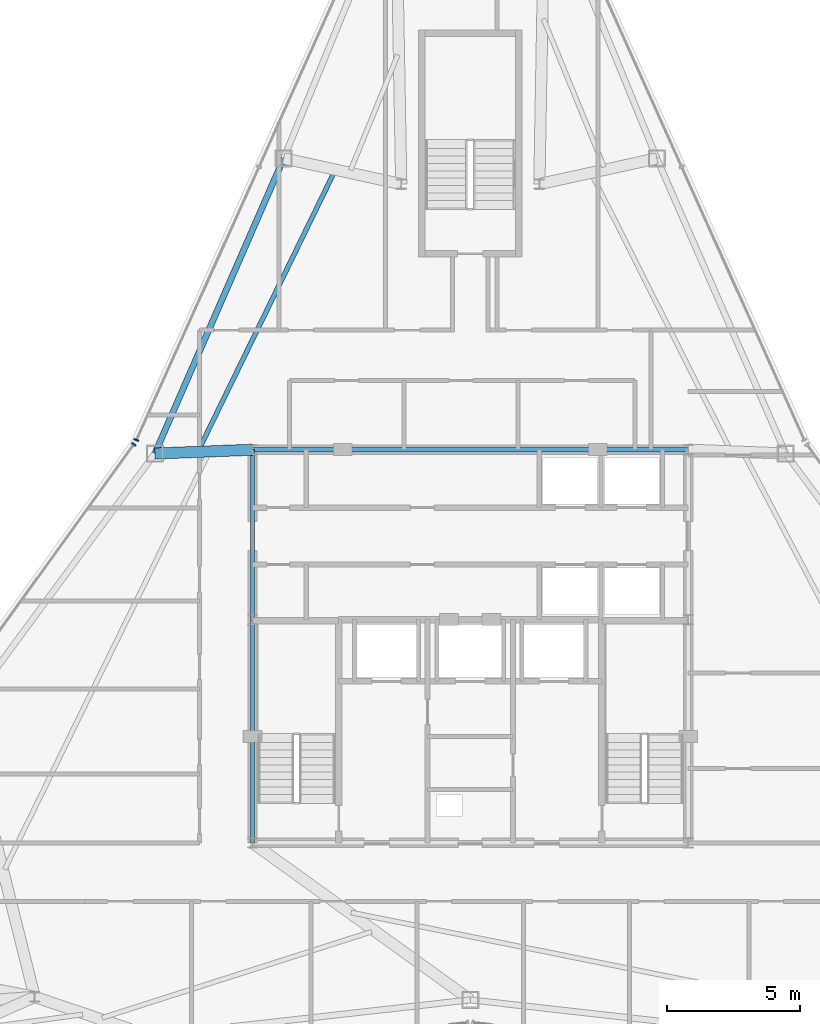
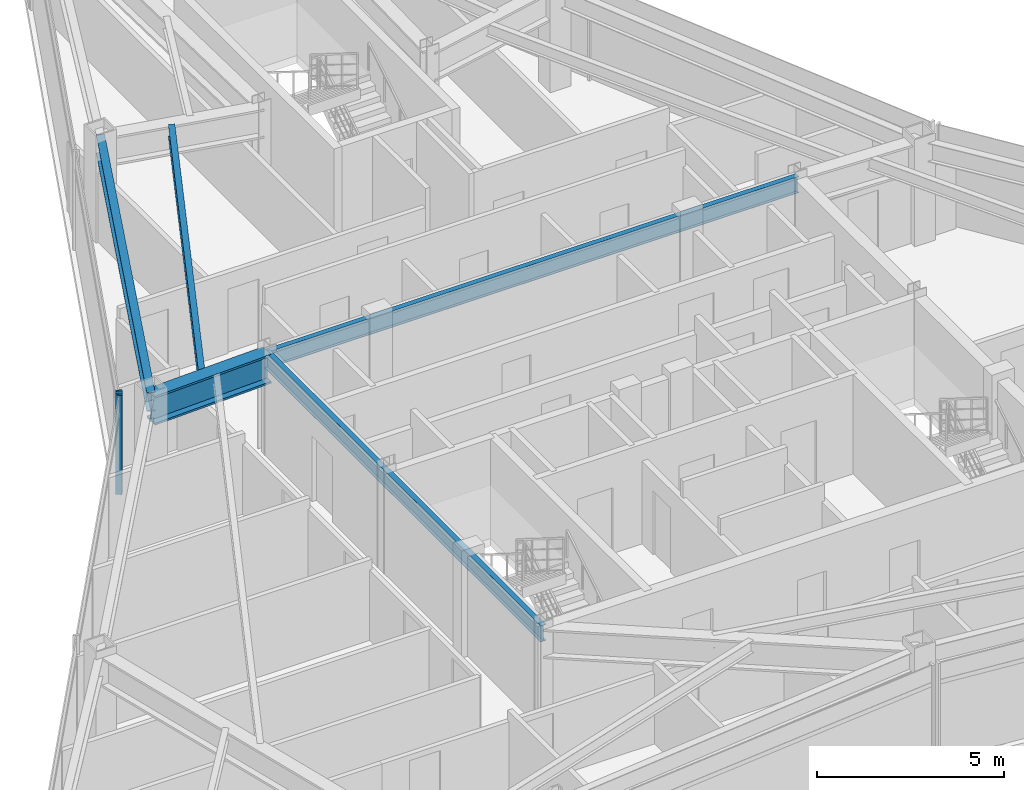
# One storey, part 5 of 12: 5 beams, 2 members, 2 elements without a shape of their own.
"""IFC4 building model written with IfcOpenShell, lengths in metres."""

from ifc_helpers import new_model, si_unit, direction, frame, origin, origin_2d, place, context, subcontext, project, spatial, rectangle, i_section, extrude, source, transform, mapped, material, layer, layer_set, material_profile, profile_set, type_object, type_shapes, element, aggregate, save


model = new_model("IFC4")

# Units and contexts
model_context = context("Model", 3, precision=1e-05, world=origin(), true_north=direction((0.0, 1.0)))
body_context = subcontext(model_context, "Body", "Model", "MODEL_VIEW")
ifc_project = project(units=[si_unit("LENGTHUNIT", "METRE"), si_unit("AREAUNIT", "SQUARE_METRE"), si_unit("VOLUMEUNIT", "CUBIC_METRE"), si_unit("PLANEANGLEUNIT", "RADIAN"), si_unit("MASSUNIT", "GRAM", prefix="KILO")], contexts=[model_context])

# Site, building, storey
site_placement = place(None, origin())
site = spatial("IfcSite", under=ifc_project, at=site_placement, CompositionType="ELEMENT")
building_placement = place(site_placement, origin())
building = spatial("IfcBuilding", under=site, at=building_placement, Name="Varakhsha Concourse Tower", CompositionType="ELEMENT")
storey_placement = place(building_placement, frame((0.0, 0.0, 258.5)))
storey = spatial("IfcBuildingStorey", under=building, at=storey_placement, Name="L73", CompositionType="ELEMENT", Elevation=258.5)

# Beams
ifc_material_1 = material(Name="Structural Steel ASTM A992 Grade 50", Category="steel")
ifc_material_profile_1 = material_profile(ifc_material_1, i_section(OverallWidth=0.177978515625, OverallDepth=0.406982421875, WebThickness=0.008056640625, FlangeThickness=0.012939453125, at=origin_2d()), Name="W16X40")
ifc_profile_set_1 = profile_set([ifc_material_profile_1], Name="Structural Steel ASTM A992 Grade 50")
beam_type_1 = type_object("IfcBeamType", Name="BM-JST-W16X40", PredefinedType="JOIST", material=ifc_profile_set_1)
beam_1_placement = place(storey_placement, frame((34.875, 41.643798828125, 3.04638671875), z_axis=(-0.438334888597, -0.898811729696, 0.0), x_axis=(0.898811729696, -0.438334888597, 0.0)))
element("IfcBeam", 1, at=beam_1_placement, inside=storey, type_object=beam_type_1, Name="BM-TJST-L73-04", PredefinedType="JOIST", context=body_context, shape_type="SweptSolid", body=[
    extrude(i_section(OverallWidth=0.177978515625, OverallDepth=0.406982421875, WebThickness=0.008056640625, FlangeThickness=0.012939453125, at=origin_2d()), origin(), (0.0, 0.0, 1.0), 11.599609375),
])
ifc_material_profile_2 = material_profile(ifc_material_1, i_section(OverallWidth=0.423095703125, OverallDepth=0.947998046875, WebThickness=0.0380859375, FlangeThickness=0.06396484375, at=origin_2d()), Name="W36X302")
ifc_profile_set_2 = profile_set([ifc_material_profile_2], Name="Structural Steel ASTM A992 Grade 50")
beam_type_2 = type_object("IfcBeamType", Name="BM-OUTR-W36X302", PredefinedType="USERDEFINED", material=ifc_profile_set_2)
beam_2_placement = place(storey_placement, frame((31.800048828125, 31.199951171875, 2.77587890625), z_axis=(-0.999229859365, -0.039238860258, 0.0), x_axis=(0.039238860258, -0.999229859365, 0.0)))
element("IfcBeam", 2, at=beam_2_placement, inside=storey, type_object=beam_type_2, Name="L73 Radial Floor Girder 05", ObjectType="GIRDER", PredefinedType="USERDEFINED", context=body_context, shape_type="SweptSolid", body=[
    extrude(i_section(OverallWidth=0.423095703125, OverallDepth=0.947998046875, WebThickness=0.0380859375, FlangeThickness=0.06396484375, at=origin_2d()), origin(), (0.0, 0.0, 1.0), 3.67724609375),
])
ifc_material_profile_3 = material_profile(ifc_material_1, i_section(OverallWidth=0.1669921875, OverallDepth=0.534912109375, WebThickness=0.010009765625, FlangeThickness=0.01708984375, at=origin_2d()), Name="W21X57")
ifc_profile_set_3 = profile_set([ifc_material_profile_3], Name="Structural Steel ASTM A992 Grade 50")
beam_type_3 = type_object("IfcBeamType", Name="BM-RAD-W21X57", PredefinedType="BEAM", material=ifc_profile_set_3)
beam_3_placement = place(storey_placement, frame((31.800048828125, 31.199951171875, 2.982421875), z_axis=(1.0, 0.0, 0.0), x_axis=(0.0, 1.0, 0.0)))
element("IfcBeam", 3, at=beam_3_placement, inside=storey, type_object=beam_type_3, Name="BM-TCORE-L73-CN", PredefinedType="BEAM", context=body_context, shape_type="SweptSolid", body=[
    extrude(i_section(OverallWidth=0.1669921875, OverallDepth=0.534912109375, WebThickness=0.010009765625, FlangeThickness=0.01708984375, at=origin_2d()), origin(), (0.0, 0.0, 1.0), 16.39990234375),
])
beam_4_placement = place(storey_placement, frame((31.800048828125, 16.39990234375, 2.982421875), z_axis=(0.0, 1.0, 0.0), x_axis=(-1.0, 0.0, 0.0)))
element("IfcBeam", 4, at=beam_4_placement, inside=storey, type_object=beam_type_3, Name="BM-TCORE-L73-CW", PredefinedType="BEAM", context=body_context, shape_type="SweptSolid", body=[
    extrude(i_section(OverallWidth=0.1669921875, OverallDepth=0.534912109375, WebThickness=0.010009765625, FlangeThickness=0.01708984375, at=origin_2d()), origin(), (0.0, 0.0, 1.0), 14.800048828125),
])
ifc_material_profile_4 = material_profile(ifc_material_1, i_section(OverallWidth=0.22900390625, OverallDepth=0.612060546875, WebThickness=0.011962890625, FlangeThickness=0.02001953125, at=origin_2d()), Name="W24X84")
ifc_profile_set_4 = profile_set([ifc_material_profile_4], Name="Structural Steel ASTM A992 Grade 50")
beam_type_4 = type_object("IfcBeamType", Name="BM-SPAN-W24X84", PredefinedType="SPANDREL", material=ifc_profile_set_4)
beam_5_placement = place(storey_placement, frame((32.977294921875, 42.168701171875, 2.944091796875), z_axis=(-0.400099437724, -0.916471734388, 0.0), x_axis=(0.916471734388, -0.400099437724, 0.0)))
element("IfcBeam", 5, at=beam_5_placement, inside=storey, type_object=beam_type_4, Name="BM-SPAN-L73-04", PredefinedType="SPANDREL", context=body_context, shape_type="SweptSolid", body=[
    extrude(i_section(OverallWidth=0.22900390625, OverallDepth=0.612060546875, WebThickness=0.011962890625, FlangeThickness=0.02001953125, at=origin_2d()), origin(), (0.0, 0.0, 1.0), 12.1259765625),
])

# Curtain wall, member
ifc_material_2 = material(Name="Anodised Bronze Architectural Aluminium AA 6063-T6", Category="aluminium")
ifc_layer = layer(ifc_material_2, 0.199951171875, Name="CW-SYS-05")
ifc_layer_set = layer_set([ifc_layer], Name="Anodised Bronze Architectural Aluminium AA 6063-T6")
curtain_wall_type = type_object("IfcCurtainWallType", Name="CW-SYS-05", PredefinedType="NOTDEFINED", material=ifc_layer_set)
curtain_wall_1_placement = place(storey_placement, origin())
curtain_wall_1 = element("IfcCurtainWall", 6, at=curtain_wall_1_placement, inside=storey, type_object=curtain_wall_type, Name="L73 Crystal Curtain Wall F2", PredefinedType="NOTDEFINED")
ifc_material_profile_5 = material_profile(ifc_material_2, rectangle(XDim=0.06494140625, YDim=0.179931640625, at=origin_2d()), Name="CWM-180X65")
ifc_profile_set_5 = profile_set([ifc_material_profile_5], Name="Anodised Bronze Architectural Aluminium AA 6063-T6")
member_type = type_object("IfcMemberType", Name="CWM-180X65", PredefinedType="MULLION", material=ifc_profile_set_5)
shared_shape = source(origin(), body_context, "Body", "SweptSolid", [
    extrude(rectangle(XDim=0.06494140625, YDim=0.179931640625, at=origin_2d()), origin(), (0.0, 0.0, 1.0), 3.25),
])
type_shapes(member_type, [shared_shape])
member_1_placement = place(storey_placement, frame((27.427978515625, 31.569091796875, 0.0), z_axis=(0.0, 0.0, 1.0), x_axis=(0.409661937266, 0.912237412714, 0.0)))
member_1 = element("IfcMember", 7, at=member_1_placement, type_object=member_type, Name="CW-L73-F2 Mullion 00", PredefinedType="MULLION", context=body_context, shape_type="MappedRepresentation", body=[
    mapped(shared_shape, transform((0.0, 0.0, 0.0), scale=1.0)),
])
aggregate(curtain_wall_1, [member_1])

curtain_wall_2_placement = place(storey_placement, origin())
curtain_wall_2 = element("IfcCurtainWall", 8, at=curtain_wall_2_placement, inside=storey, type_object=curtain_wall_type, Name="L73 Crystal Curtain Wall F3", PredefinedType="NOTDEFINED")
member_2_placement = place(storey_placement, frame((27.332275390625, 31.403076171875, 0.0), z_axis=(0.0, 0.0, 1.0), x_axis=(0.585188389778, 0.81089737234, 0.0)))
member_2 = element("IfcMember", 9, at=member_2_placement, type_object=member_type, Name="CW-L73-F3 Mullion 02", PredefinedType="MULLION", context=body_context, shape_type="MappedRepresentation", body=[
    mapped(shared_shape, transform((0.0, 0.0, 0.0), scale=1.0)),
])
aggregate(curtain_wall_2, [member_2])

save(model, "model.ifc")
